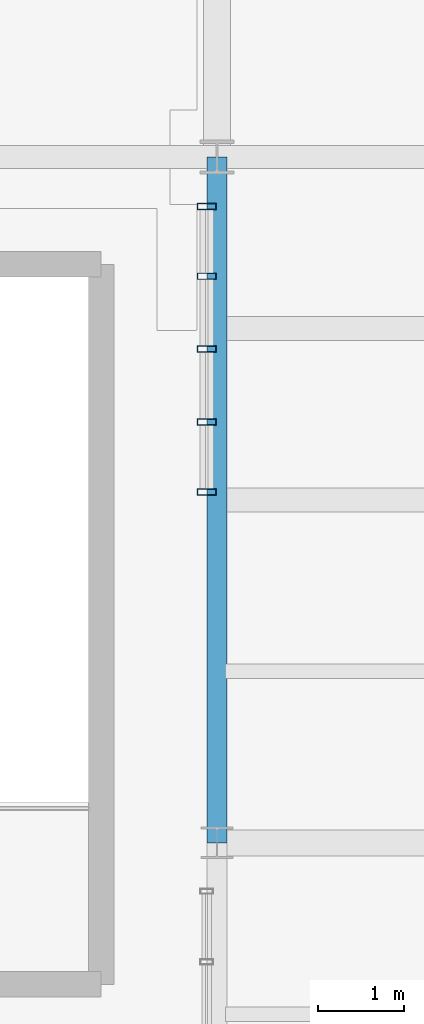
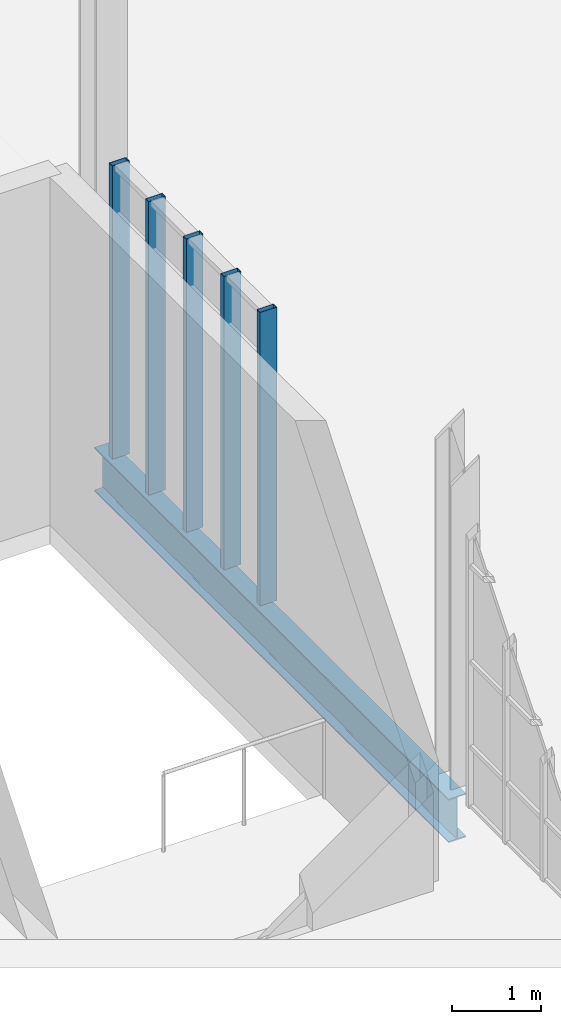
# One storey, part 54 of 118: 5 members, 1 beam, 1 element without a shape of its own.
"""IFC4 building model written with IfcOpenShell, lengths in metres."""

from ifc_helpers import new_model, si_unit, direction, frame, origin, origin_2d, place, context, subcontext, project, spatial, hollow_rectangle, i_section, extrude, material, layer, layer_set, material_profile, profile_set, type_object, element, aggregate, save


model = new_model("IFC4")

# Units and contexts
model_context = context("Model", 3, precision=1e-05, world=origin(), true_north=direction((0.0, 1.0)))
body_context = subcontext(model_context, "Body", "Model", "MODEL_VIEW")
ifc_project = project(units=[si_unit("LENGTHUNIT", "METRE"), si_unit("AREAUNIT", "SQUARE_METRE"), si_unit("VOLUMEUNIT", "CUBIC_METRE"), si_unit("PLANEANGLEUNIT", "RADIAN"), si_unit("MASSUNIT", "GRAM", prefix="KILO"), si_unit("THERMODYNAMICTEMPERATUREUNIT", "KELVIN"), si_unit("POWERUNIT", "WATT")], contexts=[model_context])

# Site, building, storey
site_placement = place(None, origin())
site = spatial("IfcSite", under=ifc_project, at=site_placement, CompositionType="ELEMENT")
building_placement = place(site_placement, origin())
building = spatial("IfcBuilding", under=site, at=building_placement, Name="Zelmaris Science Centre", CompositionType="ELEMENT")
storey_placement = place(building_placement, frame((0.0, 0.0, 15.60009765625)))
storey = spatial("IfcBuildingStorey", under=building, at=storey_placement, Name="L03", CompositionType="ELEMENT", Elevation=15.60009765625)

# Curtain wall, members
ifc_material_1 = material(Name="Anodised architectural aluminium 6063-T6", Category="aluminium")
ifc_layer = layer(ifc_material_1, 0.199951171875, Name="Anodised architectural aluminium 6063-T6")
ifc_layer_set = layer_set([ifc_layer], Name="Anodised architectural aluminium 6063-T6")
curtain_wall_type = type_object("IfcCurtainWallType", Name="Curtain Wall CW-02", PredefinedType="USERDEFINED", material=ifc_layer_set)
curtain_wall_placement = place(storey_placement, origin())
curtain_wall = element("IfcCurtainWall", 1, at=curtain_wall_placement, inside=storey, type_object=curtain_wall_type, Name="L03 Unitised curtain wall 298", ObjectType="GLAZED CURTAIN WALL", PredefinedType="USERDEFINED")
ifc_material_profile_1 = material_profile(ifc_material_1, hollow_rectangle(XDim=0.074951171875, YDim=0.219970703125, WallThickness=0.0048828125, at=origin_2d()), Name="ALU-MUL-75X220")
ifc_profile_set_1 = profile_set([ifc_material_profile_1], Name="Anodised architectural aluminium 6063-T6")
member_type = type_object("IfcMemberType", Name="ALU-MUL-75X220", PredefinedType="MULLION", material=ifc_profile_set_1)
member_1_placement = place(storey_placement, frame((134.8798828125, 47.426513671875, -0.01513671875), z_axis=(0.0, 0.0, 1.0), x_axis=(0.0, -1.0, 0.0)))
member_1 = element("IfcMember", 2, at=member_1_placement, type_object=member_type, Name="CW-02 mullion 1", PredefinedType="MULLION", context=body_context, shape_type="SweptSolid", body=[
    extrude(hollow_rectangle(XDim=0.074951171875, YDim=0.219970703125, WallThickness=0.0048828125, at=origin_2d()), origin(), (0.0, 0.0, 1.0), 4.044921875),
])
member_2_placement = place(storey_placement, frame((134.8798828125, 46.610107421875, -0.01513671875), z_axis=(0.0, 0.0, 1.0), x_axis=(0.0, -1.0, 0.0)))
member_2 = element("IfcMember", 3, at=member_2_placement, type_object=member_type, Name="CW-02 mullion 2", PredefinedType="MULLION", context=body_context, shape_type="SweptSolid", body=[
    extrude(hollow_rectangle(XDim=0.074951171875, YDim=0.219970703125, WallThickness=0.0048828125, at=origin_2d()), origin(), (0.0, 0.0, 1.0), 4.044921875),
])
member_3_placement = place(storey_placement, frame((134.8798828125, 45.760009765625, -0.01513671875), z_axis=(0.0, 0.0, 1.0), x_axis=(0.0, -1.0, 0.0)))
member_3 = element("IfcMember", 4, at=member_3_placement, type_object=member_type, Name="CW-02 mullion 3", PredefinedType="MULLION", context=body_context, shape_type="SweptSolid", body=[
    extrude(hollow_rectangle(XDim=0.074951171875, YDim=0.219970703125, WallThickness=0.0048828125, at=origin_2d()), origin(), (0.0, 0.0, 1.0), 4.044921875),
])
member_4_placement = place(storey_placement, frame((134.8798828125, 44.909912109375, -0.01513671875), z_axis=(0.0, 0.0, 1.0), x_axis=(0.0, -1.0, 0.0)))
member_4 = element("IfcMember", 5, at=member_4_placement, type_object=member_type, Name="CW-02 mullion 4", PredefinedType="MULLION", context=body_context, shape_type="SweptSolid", body=[
    extrude(hollow_rectangle(XDim=0.074951171875, YDim=0.219970703125, WallThickness=0.0048828125, at=origin_2d()), origin(), (0.0, 0.0, 1.0), 4.044921875),
])
member_5_placement = place(storey_placement, frame((134.8798828125, 44.093505859375, -0.01513671875), z_axis=(0.0, 0.0, 1.0), x_axis=(0.0, -1.0, 0.0)))
member_5 = element("IfcMember", 6, at=member_5_placement, type_object=member_type, Name="CW-02 mullion 5", PredefinedType="MULLION", context=body_context, shape_type="SweptSolid", body=[
    extrude(hollow_rectangle(XDim=0.074951171875, YDim=0.219970703125, WallThickness=0.0048828125, at=origin_2d()), origin(), (0.0, 0.0, 1.0), 4.044921875),
])
aggregate(curtain_wall, [member_1, member_2, member_3, member_4, member_5])

# Beam
ifc_material_2 = material(Name="Steel ASTM A992 Grade 50", Category="steel")
ifc_material_profile_2 = material_profile(ifc_material_2, i_section(OverallWidth=0.22900390625, OverallDepth=0.60205078125, WebThickness=0.010498046875, FlangeThickness=0.014892578125, FilletRadius=0.014892578125, at=origin_2d()), Name="W24X68")
ifc_profile_set_2 = profile_set([ifc_material_profile_2], Name="Steel ASTM A992 Grade 50")
beam_type = type_object("IfcBeamType", Name="Beam G-17 W24X68", PredefinedType="BEAM", material=ifc_profile_set_2)
beam_placement = place(storey_placement, frame((135.0, 40.0, -0.56103515625), z_axis=(0.0, 1.0, 0.0), x_axis=(-1.0, 0.0, 0.0)))
element("IfcBeam", 7, at=beam_placement, inside=storey, type_object=beam_type, Name="L03 North-south girder 723", PredefinedType="BEAM", context=body_context, shape_type="SweptSolid", body=[
    extrude(i_section(OverallWidth=0.22900390625, OverallDepth=0.60205078125, WebThickness=0.010498046875, FlangeThickness=0.014892578125, FilletRadius=0.014892578125, at=origin_2d()), origin(), (0.0, 0.0, 1.0), 8.0),
])

save(model, "model.ifc")
